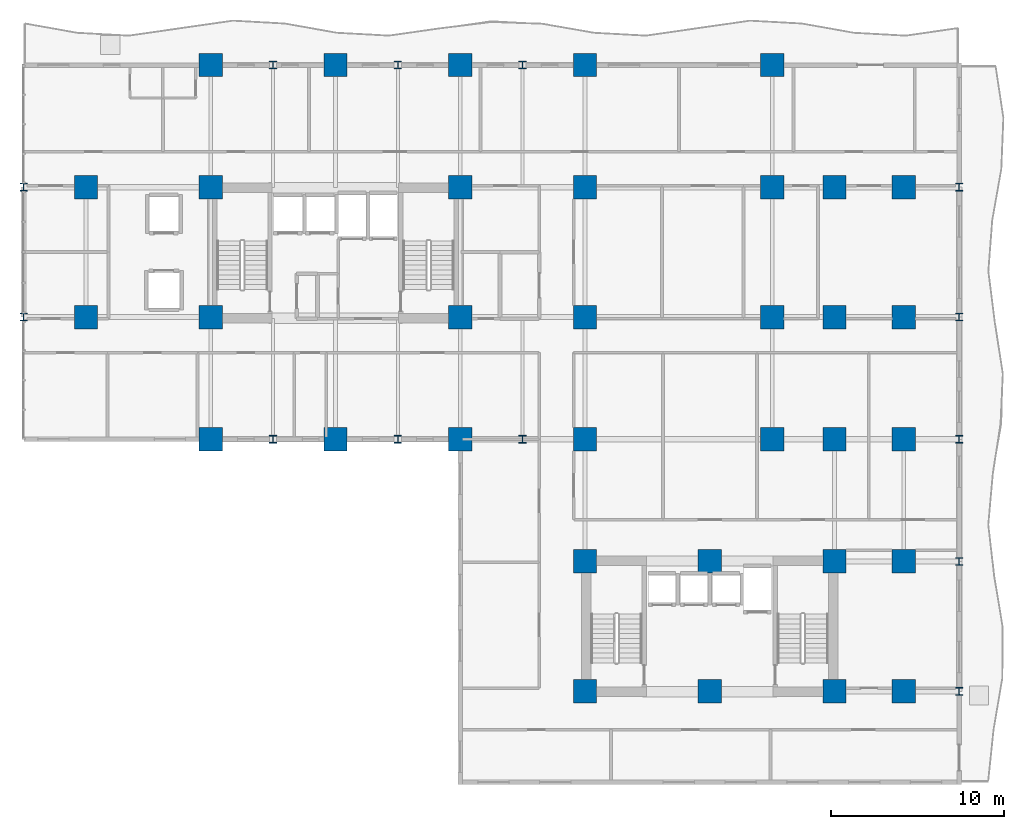
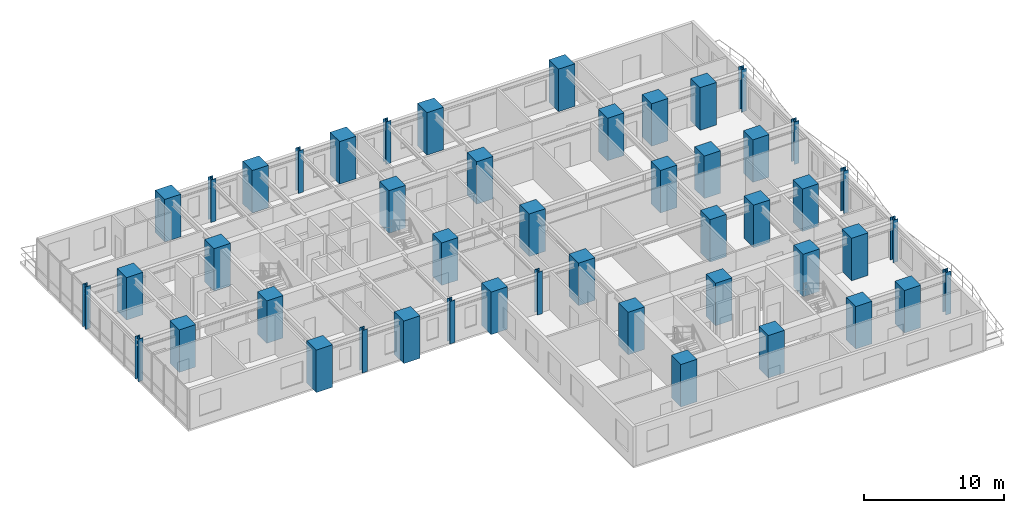
# One storey, part 1 of 19: 47 columns.
"""IFC4 building model written with IfcOpenShell, lengths in metres."""

from ifc_helpers import new_model, si_unit, direction, frame, origin, origin_2d, place, context, subcontext, project, spatial, rectangle, i_section, extrude, source, transform, mapped, material, material_profile, profile_set, type_object, element, save


model = new_model("IFC4")

# Units and contexts
model_context = context("Model", 3, precision=1e-05, world=origin(), true_north=direction((0.0, 1.0)))
body_context = subcontext(model_context, "Body", "Model", "MODEL_VIEW")
ifc_project = project(units=[si_unit("LENGTHUNIT", "METRE"), si_unit("AREAUNIT", "SQUARE_METRE"), si_unit("VOLUMEUNIT", "CUBIC_METRE"), si_unit("PLANEANGLEUNIT", "RADIAN"), si_unit("MASSUNIT", "GRAM", prefix="KILO")], contexts=[model_context])

# Site, building, storey
site_placement = place(None, origin())
site = spatial("IfcSite", under=ifc_project, at=site_placement, CompositionType="ELEMENT")
building_placement = place(site_placement, origin())
building = spatial("IfcBuilding", under=site, at=building_placement, Name="Kaliganga Portal Commons", CompositionType="ELEMENT")
storey_placement = place(building_placement, frame((0.0, 0.0, 47.5)))
storey = spatial("IfcBuildingStorey", under=building, at=storey_placement, Name="L11", CompositionType="ELEMENT", Elevation=47.5)

# Columns
ifc_material_1 = material(Name="Concrete C70/85", Category="concrete")
ifc_material_profile_1 = material_profile(ifc_material_1, rectangle(XDim=1.35009765625, YDim=1.35009765625, at=origin_2d()), Name="RC 1350x1350")
ifc_profile_set_1 = profile_set([ifc_material_profile_1], Name="Concrete C70/85")
column_type_1 = type_object("IfcColumnType", Name="COL-MEGA-Z1", PredefinedType="COLUMN", material=ifc_profile_set_1)
shared_shape_1 = source(origin(), body_context, "Body", "SweptSolid", [
    extrude(rectangle(XDim=1.35009765625, YDim=1.35009765625, at=origin_2d()), origin(), (0.0, 0.0, 1.0), 3.699951171875),
])
for number, where, z_axis, x_axis, name in (
    (1, (7.199951171875, 28.64990234375, 0.0), (0.0, 0.0, 1.0), (1.0, 0.0, 0.0), "Column MC-02 L11"),
    (2, (7.199951171875, 36.14990234375, 0.0), (0.0, 0.0, 1.0), (1.0, 0.0, 0.0), "Column MC-02 L11"),
    (3, (14.39990234375, 21.60009765625, 0.0), (0.0, 0.0, 1.0), (1.0, 0.0, 0.0), "Column MC-02 L11"),
    (4, (14.39990234375, 28.64990234375, 0.0), (0.0, 0.0, 1.0), (1.0, 0.0, 0.0), "Column MC-02 L11"),
    (5, (14.39990234375, 36.14990234375, 0.0), (0.0, 0.0, 1.0), (1.0, 0.0, 0.0), "Column MC-02 L11"),
    (6, (14.39990234375, 43.199951171875, 0.0), (0.0, 0.0, 1.0), (1.0, 0.0, 0.0), "Column MC-02 L11"),
    (7, (21.60009765625, 21.60009765625, 0.0), (0.0, 0.0, 1.0), (1.0, 0.0, 0.0), "Column MC-02 L11"),
    (8, (21.60009765625, 43.199951171875, 0.0), (0.0, 0.0, 1.0), (1.0, 0.0, 0.0), "Column MC-02 L11"),
    (9, (28.800048828125, 21.60009765625, 0.0), (0.0, 0.0, 1.0), (1.0, 0.0, 0.0), "Column MC-02 L11"),
    (10, (28.800048828125, 28.64990234375, 0.0), (0.0, 0.0, 1.0), (1.0, 0.0, 0.0), "Column MC-02 L11"),
    (11, (28.800048828125, 36.14990234375, 0.0), (0.0, 0.0, 1.0), (1.0, 0.0, 0.0), "Column MC-02 L11"),
    (12, (28.800048828125, 43.199951171875, 0.0), (0.0, 0.0, 1.0), (1.0, 0.0, 0.0), "Column MC-02 L11"),
    (13, (36.0, 21.60009765625, 0.0), (0.0, 0.0, 1.0), (1.0, 0.0, 0.0), "Column MC-02 L11"),
    (14, (36.0, 43.199951171875, 0.0), (0.0, 0.0, 1.0), (1.0, 0.0, 0.0), "Column MC-02 L11"),
    (15, (36.0, 28.64990234375, 0.0), (0.0, 0.0, 1.0), (1.0, 0.0, 0.0), "Column MC-02 L11"),
    (16, (36.0, 36.14990234375, 0.0), (0.0, 0.0, 1.0), (1.0, 0.0, 0.0), "Column MC-02 L11"),
    (17, (46.800048828125, 21.60009765625, 0.0), (0.0, 0.0, 1.0), (1.0, 0.0, 0.0), "Column MC-02 L11"),
    (18, (46.800048828125, 28.64990234375, 0.0), (0.0, 0.0, 1.0), (1.0, 0.0, 0.0), "Column MC-02 L11"),
    (19, (46.800048828125, 36.14990234375, 0.0), (0.0, 0.0, 1.0), (1.0, 0.0, 0.0), "Column MC-02 L11"),
    (20, (46.800048828125, 43.199951171875, 0.0), (0.0, 0.0, 1.0), (1.0, 0.0, 0.0), "Column MC-02 L11"),
    (21, (36.0, 7.050048828125, 0.0), (0.0, 0.0, 1.0), (1.0, 0.0, 0.0), "Column MC-02 L11"),
    (22, (36.0, 14.550048828125, 0.0), (0.0, 0.0, 1.0), (1.0, 0.0, 0.0), "Column MC-02 L11"),
    (23, (43.199951171875, 7.050048828125, 0.0), (0.0, 0.0, 1.0), (1.0, 0.0, 0.0), "Column MC-02 L11"),
    (24, (43.199951171875, 14.550048828125, 0.0), (0.0, 0.0, 1.0), (1.0, 0.0, 0.0), "Column MC-02 L11"),
    (25, (50.39990234375, 7.050048828125, 0.0), (0.0, 0.0, 1.0), (1.0, 0.0, 0.0), "Column MC-02 L11"),
    (26, (50.39990234375, 14.550048828125, 0.0), (0.0, 0.0, 1.0), (1.0, 0.0, 0.0), "Column MC-02 L11"),
    (27, (50.39990234375, 21.60009765625, 0.0), (0.0, 0.0, 1.0), (1.0, 0.0, 0.0), "Column MC-02 L11"),
    (28, (50.39990234375, 28.64990234375, 0.0), (0.0, 0.0, 1.0), (1.0, 0.0, 0.0), "Column MC-02 L11"),
    (29, (50.39990234375, 36.14990234375, 0.0), (0.0, 0.0, 1.0), (1.0, 0.0, 0.0), "Column MC-02 L11"),
    (30, (54.39990234375, 7.050048828125, 0.0), (0.0, 0.0, 1.0), (1.0, 0.0, 0.0), "Column MC-02 L11"),
    (31, (54.39990234375, 14.550048828125, 0.0), (0.0, 0.0, 1.0), (1.0, 0.0, 0.0), "Column MC-02 L11"),
    (32, (54.39990234375, 21.60009765625, 0.0), (0.0, 0.0, 1.0), (1.0, 0.0, 0.0), "Column MC-02 L11"),
    (33, (54.39990234375, 28.64990234375, 0.0), (0.0, 0.0, 1.0), (1.0, 0.0, 0.0), "Column MC-02 L11"),
    (34, (54.39990234375, 36.14990234375, 0.0), (0.0, 0.0, 1.0), (1.0, 0.0, 0.0), "Column MC-02 L11"),
):
    element("IfcColumn", number, at=place(storey_placement, frame(where, z_axis=z_axis, x_axis=x_axis)), inside=storey, type_object=column_type_1, Name=name, PredefinedType="COLUMN", context=body_context, shape_type="MappedRepresentation", body=[
        mapped(shared_shape_1, transform((0.0, 0.0, 0.0), x_axis=(1.0, 0.0, 0.0), y_axis=(0.0, 1.0, 0.0), z_axis=(0.0, 0.0, 1.0), scale=1.0)),
    ])
ifc_material_2 = material(Name="Structural steel S460M", Category="steel")
ifc_material_profile_2 = material_profile(ifc_material_2, i_section(OverallWidth=0.416015625, OverallDepth=0.446044921875, WebThickness=0.029052734375, FlangeThickness=0.0400390625, FilletRadius=0.014892578125, at=origin_2d()), Name="HD 400x509")
ifc_profile_set_2 = profile_set([ifc_material_profile_2], Name="Structural steel S460M wide-flange")
column_type_2 = type_object("IfcColumnType", Name="COL-TUBE-B1", PredefinedType="COLUMN", material=ifc_profile_set_2)
shared_shape_2 = source(origin(), body_context, "Body", "SweptSolid", [
    extrude(i_section(OverallWidth=0.416015625, OverallDepth=0.446044921875, WebThickness=0.029052734375, FlangeThickness=0.0400390625, FilletRadius=0.014892578125, at=origin_2d()), origin(), (0.0, 0.0, 1.0), 3.699951171875),
])
for number, where, z_axis, x_axis, name in (
    (35, (3.60009765625, 28.64990234375, 0.0), (0.0, 0.0, 1.0), (1.0, 0.0, 0.0), "Column TC-01 L11"),
    (36, (3.60009765625, 36.14990234375, 0.0), (0.0, 0.0, 1.0), (1.0, 0.0, 0.0), "Column TC-01 L11"),
    (37, (18.0, 21.60009765625, 0.0), (0.0, 0.0, 1.0), (1.0, 0.0, 0.0), "Column TC-01 L11"),
    (38, (18.0, 43.199951171875, 0.0), (0.0, 0.0, 1.0), (1.0, 0.0, 0.0), "Column TC-01 L11"),
    (39, (25.199951171875, 21.60009765625, 0.0), (0.0, 0.0, 1.0), (1.0, 0.0, 0.0), "Column TC-01 L11"),
    (40, (25.199951171875, 43.199951171875, 0.0), (0.0, 0.0, 1.0), (1.0, 0.0, 0.0), "Column TC-01 L11"),
    (41, (32.39990234375, 21.60009765625, 0.0), (0.0, 0.0, 1.0), (1.0, 0.0, 0.0), "Column TC-01 L11"),
    (42, (32.39990234375, 43.199951171875, 0.0), (0.0, 0.0, 1.0), (1.0, 0.0, 0.0), "Column TC-01 L11"),
    (43, (57.60009765625, 7.050048828125, 0.0), (0.0, 0.0, 1.0), (1.0, 0.0, 0.0), "Column TC-01 L11"),
    (44, (57.60009765625, 14.550048828125, 0.0), (0.0, 0.0, 1.0), (1.0, 0.0, 0.0), "Column TC-01 L11"),
    (45, (57.60009765625, 21.60009765625, 0.0), (0.0, 0.0, 1.0), (1.0, 0.0, 0.0), "Column TC-01 L11"),
    (46, (57.60009765625, 28.64990234375, 0.0), (0.0, 0.0, 1.0), (1.0, 0.0, 0.0), "Column TC-01 L11"),
    (47, (57.60009765625, 36.14990234375, 0.0), (0.0, 0.0, 1.0), (1.0, 0.0, 0.0), "Column TC-01 L11"),
):
    element("IfcColumn", number, at=place(storey_placement, frame(where, z_axis=z_axis, x_axis=x_axis)), inside=storey, type_object=column_type_2, Name=name, PredefinedType="COLUMN", context=body_context, shape_type="MappedRepresentation", body=[
        mapped(shared_shape_2, transform((0.0, 0.0, 0.0), x_axis=(1.0, 0.0, 0.0), y_axis=(0.0, 1.0, 0.0), z_axis=(0.0, 0.0, 1.0), scale=1.0)),
    ])

save(model, "model.ifc")
